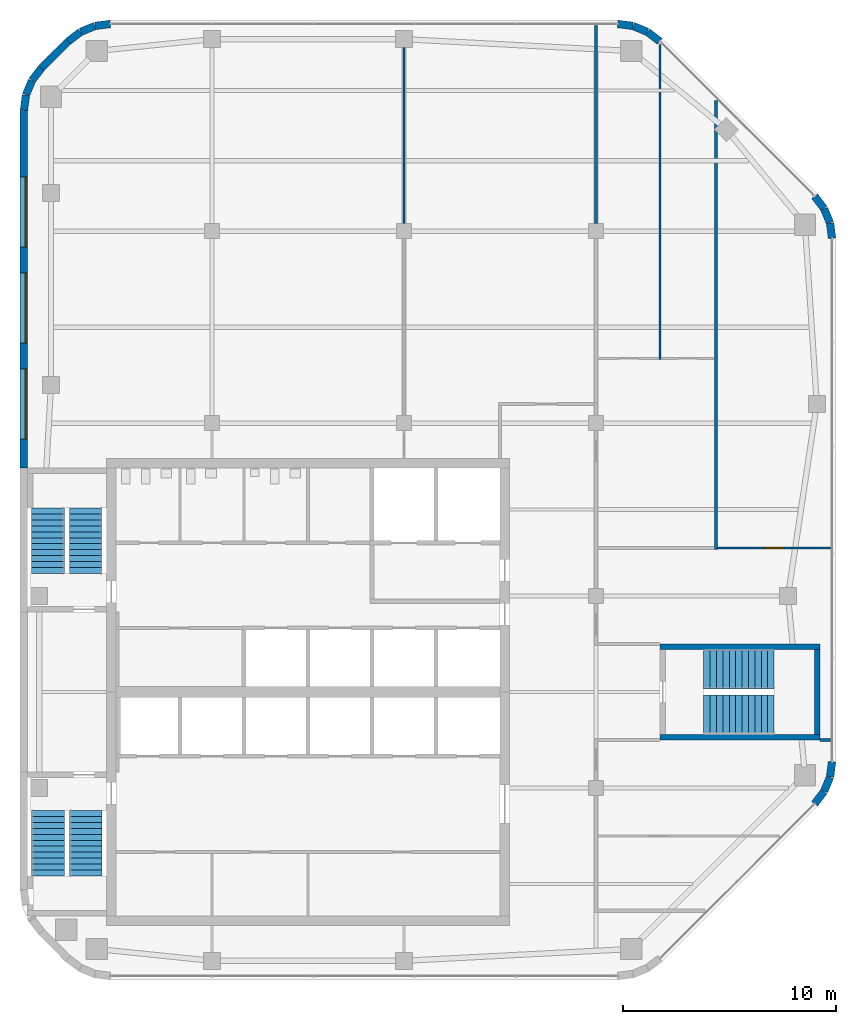
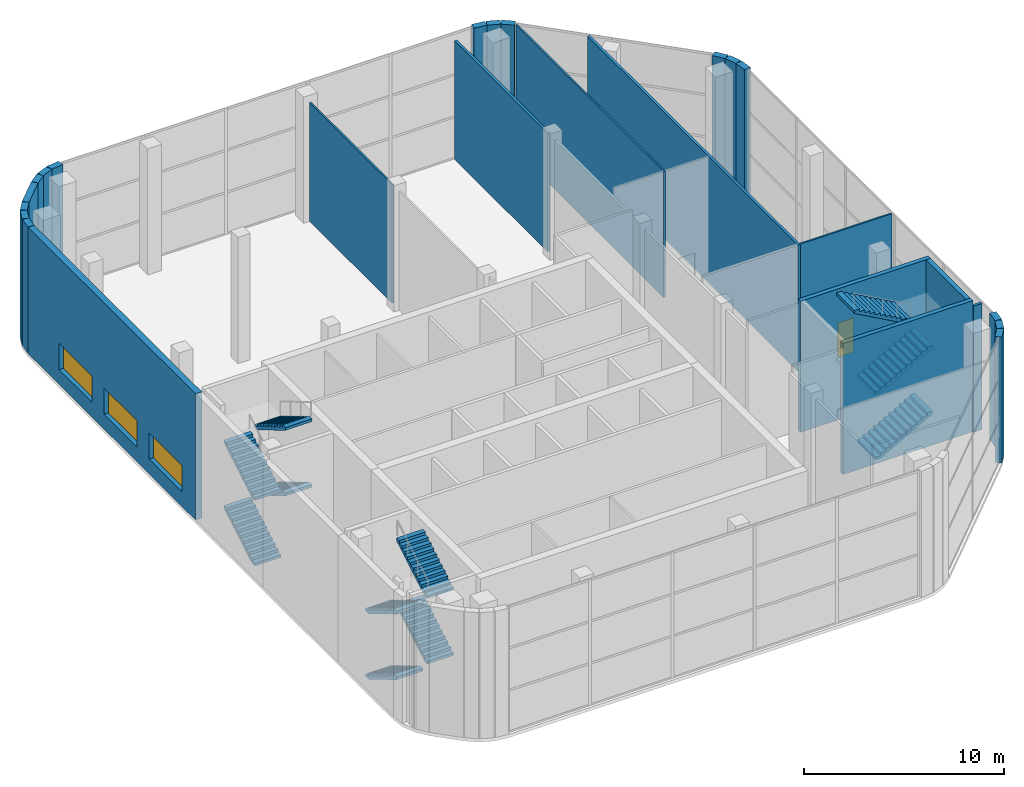
# One storey, part 10 of 12: 26 walls, 12 stair flights, 3 windows, 1 door, 4 openings, 3 elements without a shape of their own.
"""IFC4 building model written with IfcOpenShell, lengths in metres."""

from ifc_helpers import new_model, si_unit, direction, frame, frame_2d, origin, place, context, subcontext, project, spatial, polyline, rectangle, outline, extrude, material, layer, layer_set, type_object, element, fill, aggregate, save


model = new_model("IFC4")

# Units and contexts
model_context = context("Model", 3, precision=1e-05, world=origin(), true_north=direction((0.0, 1.0)))
body_context = subcontext(model_context, "Body", "Model", "MODEL_VIEW")
ifc_project = project(units=[si_unit("LENGTHUNIT", "METRE"), si_unit("AREAUNIT", "SQUARE_METRE"), si_unit("VOLUMEUNIT", "CUBIC_METRE"), si_unit("PLANEANGLEUNIT", "RADIAN"), si_unit("MASSUNIT", "GRAM", prefix="KILO")], contexts=[model_context])

# Site, building, storey
site_placement = place(None, origin())
site = spatial("IfcSite", under=ifc_project, at=site_placement, CompositionType="ELEMENT")
building_placement = place(site_placement, origin())
building = spatial("IfcBuilding", under=site, at=building_placement, Name="Cinnabar Reach Civic Tower", CompositionType="ELEMENT")
storey_placement = place(building_placement, frame((0.0, 0.0, 283.0)))
storey = spatial("IfcBuildingStorey", under=building, at=storey_placement, Name="L68", CompositionType="ELEMENT", Elevation=283.0)

# Walls
ifc_material_1 = material(Name="Facing brick with insulated backing", Category="masonry")
ifc_layer_1 = layer(ifc_material_1, 0.36)
ifc_layer_set_1 = layer_set([ifc_layer_1], Name="Brick corner wall")
wall_type_1 = type_object("IfcWallType", Name="Brick corner wall", PredefinedType="STANDARD", material=ifc_layer_set_1)
wall_1_placement = place(storey_placement, frame((37.2498, 26.2587, 0.0), z_axis=(0.0, 0.0, 1.0), x_axis=(0.608802368033, 0.793321924995, 0.0)))
element("IfcWall", 1, at=wall_1_placement, inside=storey, type_object=wall_type_1, Name="Brick corner wall", PredefinedType="STANDARD", context=body_context, shape_type="SweptSolid", body=[
    extrude(rectangle(XDim=0.7132, YDim=0.36, at=frame_2d((0.3566, 0.0))), origin(), (0.0, 0.0, 1.0), 7.7),
])
for number, where, z_axis, x_axis, name in (
    (2, (37.6952, 26.8439, 0.0), (0.0, 0.0, 1.0), (0.382702709855, 0.923871547278, 0.0), "Brick corner wall"),
    (3, (37.9739, 27.5244, 0.0), (0.0, 0.0, 1.0), (0.13055608231, 0.99144092581, 0.0), "Brick corner wall"),
    (4, (38.067, 52.7686, 0.0), (0.0, 0.0, 1.0), (-0.13055608231, 0.99144092581, 0.0), "Brick corner wall"),
    (5, (37.9681, 53.4973, 0.0), (0.0, 0.0, 1.0), (-0.382702709855, 0.923871547278, 0.0), "Brick corner wall"),
):
    element("IfcWall", number, at=place(storey_placement, frame(where, z_axis=z_axis, x_axis=x_axis)), inside=storey, type_object=wall_type_1, Name=name, PredefinedType="STANDARD", context=body_context, shape_type="SweptSolid", body=[
        extrude(rectangle(XDim=0.7131, YDim=0.36, at=frame_2d((0.3565, 0.0))), origin(), (0.0, 0.0, 1.0), 7.7),
    ])
for number, where, z_axis, x_axis, name in (
    (6, (37.684, 54.1755, 0.0), (0.0, 0.0, 1.0), (-0.608802368033, 0.793321924995, 0.0), "Brick corner wall"),
    (7, (29.9913, 61.9998, 0.0), (0.0, 0.0, 1.0), (-0.793321924995, 0.608802368033, 0.0), "Brick corner wall"),
):
    element("IfcWall", number, at=place(storey_placement, frame(where, z_axis=z_axis, x_axis=x_axis)), inside=storey, type_object=wall_type_1, Name=name, PredefinedType="STANDARD", context=body_context, shape_type="SweptSolid", body=[
        extrude(rectangle(XDim=0.7132, YDim=0.36, at=frame_2d((0.3566, 0.0))), origin(), (0.0, 0.0, 1.0), 7.7),
    ])
for number, where, z_axis, x_axis, name in (
    (8, (29.4061, 62.4452, 0.0), (0.0, 0.0, 1.0), (-0.923871547278, 0.382702709855, 0.0), "Brick corner wall"),
    (9, (28.7256, 62.7239, 0.0), (0.0, 0.0, 1.0), (-0.99144092581, 0.13055608231, 0.0), "Brick corner wall"),
    (10, (4.2314, 62.817, 0.0), (0.0, 0.0, 1.0), (-0.99144092581, -0.13055608231, 0.0), "Brick corner wall"),
    (11, (3.5027, 62.7181, 0.0), (0.0, 0.0, 1.0), (-0.923871547278, -0.382702709855, 0.0), "Brick corner wall"),
):
    element("IfcWall", number, at=place(storey_placement, frame(where, z_axis=z_axis, x_axis=x_axis)), inside=storey, type_object=wall_type_1, Name=name, PredefinedType="STANDARD", context=body_context, shape_type="SweptSolid", body=[
        extrude(rectangle(XDim=0.7131, YDim=0.36, at=frame_2d((0.3565, 0.0))), origin(), (0.0, 0.0, 1.0), 7.7),
    ])
for number, where, z_axis, x_axis, name in (
    (12, (2.8245, 62.434, 0.0), (0.0, 0.0, 1.0), (-0.793321924995, -0.608802368033, 0.0), "Brick corner wall"),
    (13, (1.0002, 60.7413, 0.0), (0.0, 0.0, 1.0), (-0.608802368033, -0.793321924995, 0.0), "Brick corner wall"),
):
    element("IfcWall", number, at=place(storey_placement, frame(where, z_axis=z_axis, x_axis=x_axis)), inside=storey, type_object=wall_type_1, Name=name, PredefinedType="STANDARD", context=body_context, shape_type="SweptSolid", body=[
        extrude(rectangle(XDim=0.7132, YDim=0.36, at=frame_2d((0.3566, 0.0))), origin(), (0.0, 0.0, 1.0), 7.7),
    ])
for number, where, z_axis, x_axis, name in (
    (14, (0.5548, 60.1561, 0.0), (0.0, 0.0, 1.0), (-0.382702709855, -0.923871547278, 0.0), "Brick corner wall"),
    (15, (0.2761, 59.4756, 0.0), (0.0, 0.0, 1.0), (-0.13055608231, -0.99144092581, 0.0), "Brick corner wall"),
):
    element("IfcWall", number, at=place(storey_placement, frame(where, z_axis=z_axis, x_axis=x_axis)), inside=storey, type_object=wall_type_1, Name=name, PredefinedType="STANDARD", context=body_context, shape_type="SweptSolid", body=[
        extrude(rectangle(XDim=0.7131, YDim=0.36, at=frame_2d((0.3565, 0.0))), origin(), (0.0, 0.0, 1.0), 7.7),
    ])
ifc_layer_2 = layer(ifc_material_1, 0.36)
ifc_layer_set_2 = layer_set([ifc_layer_2], Name="Brick pier and spandrel wall")
wall_type_2 = type_object("IfcWallType", Name="Brick pier and spandrel wall", PredefinedType="STANDARD", material=ifc_layer_set_2)
wall_2_placement = place(storey_placement, frame((2.2486, 61.994, 0.0), z_axis=(0.0, 0.0, 1.0), x_axis=(-0.707106781187, -0.707106781187, 0.0)))
element("IfcWall", 16, at=wall_2_placement, inside=storey, type_object=wall_type_2, Name="Brick facade wall", PredefinedType="STANDARD", context=body_context, shape_type="SweptSolid", body=[
    extrude(rectangle(XDim=1.7573, YDim=0.36, at=frame_2d((0.8787, 0.0))), origin(), (0.0, 0.0, 1.0), 7.7),
])

# Wall, openings, windows
wall_3_placement = place(storey_placement, frame((0.18, 58.7574, 0.0), z_axis=(0.0, 0.0, 1.0), x_axis=(0.0, -1.0, 0.0)))
wall_3 = element("IfcWall", 17, at=wall_3_placement, inside=storey, type_object=wall_type_2, Name="Brick facade wall", PredefinedType="STANDARD", context=body_context, shape_type="SweptSolid", body=[
    extrude(rectangle(XDim=16.7574, YDim=0.36, at=frame_2d((8.3787, 0.0))), origin(), (0.0, 0.0, 1.0), 7.7),
])
opening_1_placement = place(wall_3_placement, frame((3.1074, 0.0, 0.9)))
opening_1 = element("IfcOpeningElement", 18, at=opening_1_placement, cuts=wall_3, Name="Opening W2330", PredefinedType="OPENING", context=body_context, shape_type="SweptSolid", body=[
    extrude(rectangle(XDim=3.3, YDim=1.6, at=frame_2d((1.65, 0.8))), frame((0.0, 0.19, 0.0), z_axis=(0.0, -1.0, 0.0), x_axis=(1.0, 0.0, 0.0)), (0.0, 0.0, 1.0), 0.38),
])
opening_2_placement = place(wall_3_placement, frame((7.6074, 0.0, 0.9)))
opening_2 = element("IfcOpeningElement", 19, at=opening_2_placement, cuts=wall_3, Name="Opening W2331", PredefinedType="OPENING", context=body_context, shape_type="SweptSolid", body=[
    extrude(rectangle(XDim=3.3, YDim=1.6, at=frame_2d((1.65, 0.8))), frame((0.0, 0.19, 0.0), z_axis=(0.0, -1.0, 0.0), x_axis=(1.0, 0.0, 0.0)), (0.0, 0.0, 1.0), 0.38),
])
opening_3_placement = place(wall_3_placement, frame((12.1074, 0.0, 0.9)))
opening_3 = element("IfcOpeningElement", 20, at=opening_3_placement, cuts=wall_3, Name="Opening W2332", PredefinedType="OPENING", context=body_context, shape_type="SweptSolid", body=[
    extrude(rectangle(XDim=3.3, YDim=1.6, at=frame_2d((1.65, 0.8))), frame((0.0, 0.19, 0.0), z_axis=(0.0, -1.0, 0.0), x_axis=(1.0, 0.0, 0.0)), (0.0, 0.0, 1.0), 0.38),
])
ifc_material_2 = material(Name="Clear double glazing in aluminium frame", Category="aluminium")
window_type = type_object("IfcWindowType", Name="Deep-set window A", PartitioningType="SINGLE_PANEL", PredefinedType="WINDOW", material=ifc_material_2)
window_1_placement = place(opening_1_placement, origin())
window_1 = element("IfcWindow", 21, at=window_1_placement, inside=storey, type_object=window_type, Name="Window west face", OverallHeight=1.6, OverallWidth=3.3, PartitioningType="SINGLE_PANEL", PredefinedType="WINDOW", context=body_context, shape_type="SweptSolid", body=[
    extrude(rectangle(XDim=3.3, YDim=1.6, at=frame_2d((1.65, 0.8))), frame((0.0, 0.13, 0.0), z_axis=(0.0, -1.0, 0.0), x_axis=(1.0, 0.0, 0.0)), (0.0, 0.0, 1.0), 0.06),
])
fill(opening_1, window_1)
window_2_placement = place(opening_2_placement, origin())
window_2 = element("IfcWindow", 22, at=window_2_placement, inside=storey, type_object=window_type, Name="Window west face", OverallHeight=1.6, OverallWidth=3.3, PartitioningType="SINGLE_PANEL", PredefinedType="WINDOW", context=body_context, shape_type="SweptSolid", body=[
    extrude(rectangle(XDim=3.3, YDim=1.6, at=frame_2d((1.65, 0.8))), frame((0.0, 0.13, 0.0), z_axis=(0.0, -1.0, 0.0), x_axis=(1.0, 0.0, 0.0)), (0.0, 0.0, 1.0), 0.06),
])
fill(opening_2, window_2)
window_3_placement = place(opening_3_placement, origin())
window_3 = element("IfcWindow", 23, at=window_3_placement, inside=storey, type_object=window_type, Name="Window west face", OverallHeight=1.6, OverallWidth=3.3, PartitioningType="SINGLE_PANEL", PredefinedType="WINDOW", context=body_context, shape_type="SweptSolid", body=[
    extrude(rectangle(XDim=3.3, YDim=1.6, at=frame_2d((1.65, 0.8))), frame((0.0, 0.13, 0.0), z_axis=(0.0, -1.0, 0.0), x_axis=(1.0, 0.0, 0.0)), (0.0, 0.0, 1.0), 0.06),
])
fill(opening_3, window_3)

# Walls
ifc_material_3 = material(Name="Gypsum board on steel studs", Category="steel")
ifc_layer_3 = layer(ifc_material_3, 0.1)
ifc_layer_set_3 = layer_set([ifc_layer_3], Name="Partition wall 100 T1")
wall_type_3 = type_object("IfcWallType", Name="Partition wall 100 T1", PredefinedType="PARTITIONING", material=ifc_layer_set_3)
wall_4_placement = place(storey_placement, frame((18.0, 53.45, 0.0), z_axis=(0.0, 0.0, 1.0), x_axis=(0.0, 1.0, 0.0)))
element("IfcWall", 24, at=wall_4_placement, inside=storey, type_object=wall_type_3, Name="Partition wall 42", PredefinedType="PARTITIONING", context=body_context, shape_type="SweptSolid", body=[
    extrude(rectangle(XDim=8.25, YDim=0.1, at=frame_2d((4.125, 0.0))), origin(), (0.0, 0.0, 1.0), 7.25),
])
wall_5_placement = place(storey_placement, frame((30.0, 47.0889, 0.0), z_axis=(0.0, 0.0, 1.0), x_axis=(0.0, 1.0, 0.0)))
element("IfcWall", 25, at=wall_5_placement, inside=storey, type_object=wall_type_3, Name="Partition wall 43", PredefinedType="PARTITIONING", context=body_context, shape_type="SweptSolid", body=[
    extrude(rectangle(XDim=14.762, YDim=0.1, at=frame_2d((7.381, 0.0))), origin(), (0.0, 0.0, 1.0), 7.7),
])

# Wall, opening, door
wall_6_placement = place(storey_placement, frame((32.7, 38.25, 0.0), z_axis=(0.0, 0.0, 1.0), x_axis=(1.0, 0.0, 0.0)))
wall_6 = element("IfcWall", 26, at=wall_6_placement, inside=storey, type_object=wall_type_3, Name="Partition wall 47", PredefinedType="PARTITIONING", context=body_context, shape_type="SweptSolid", body=[
    extrude(rectangle(XDim=5.29, YDim=0.1, at=frame_2d((2.645, 0.0))), origin(), (0.0, 0.0, 1.0), 7.7),
])
opening_4_placement = place(wall_6_placement, frame((2.2, 0.0, 0.0)))
opening_4 = element("IfcOpeningElement", 27, at=opening_4_placement, cuts=wall_6, Name="Opening D5726", PredefinedType="OPENING", context=body_context, shape_type="SweptSolid", body=[
    extrude(rectangle(XDim=0.9, YDim=2.1, at=frame_2d((0.45, 1.05))), frame((0.0, 0.06, 0.0), z_axis=(0.0, -1.0, 0.0), x_axis=(1.0, 0.0, 0.0)), (0.0, 0.0, 1.0), 0.12),
])
ifc_material_4 = material(Name="Timber door leaf in steel frame", Category="steel")
door_type = type_object("IfcDoorType", Name="Single swing door 900 x 2100 T1", OperationType="SINGLE_SWING_LEFT", PredefinedType="DOOR", material=ifc_material_4)
door_placement = place(opening_4_placement, frame((0.9, 0.0, 0.0), z_axis=(0.0, 0.0, 1.0), x_axis=(-1.0, 0.0, 0.0)))
door = element("IfcDoor", 28, at=door_placement, inside=storey, type_object=door_type, Name="Door D5726", OperationType="SINGLE_SWING_RIGHT", OverallHeight=2.1, OverallWidth=0.9, PredefinedType="DOOR", context=body_context, shape_type="SweptSolid", body=[
    extrude(rectangle(XDim=0.9, YDim=2.1, at=frame_2d((0.45, 1.05))), frame((0.0, 0.025, 0.0), z_axis=(0.0, -1.0, 0.0), x_axis=(1.0, 0.0, 0.0)), (0.0, 0.0, 1.0), 0.05),
])
fill(opening_4, door)

# Walls
ifc_material_5 = material(Name="Concrete C60", Category="concrete")
ifc_layer_4 = layer(ifc_material_5, 0.25)
ifc_layer_set_4 = layer_set([ifc_layer_4], Name="Stair shaft wall 250 EI 120")
wall_type_4 = type_object("IfcWallType", Name="Stair shaft wall 250 EI 120", PredefinedType="SOLIDWALL", material=ifc_layer_set_4)
for number, where, z_axis, x_axis, name in (
    (29, (30.0, 29.375, 0.0), (0.0, 0.0, 1.0), (1.0, 0.0, 0.0), "Stair shaft wall T1-S3 L68"),
    (30, (37.5, 33.625, 0.0), (0.0, 0.0, 1.0), (-1.0, 0.0, 0.0), "Stair shaft wall T1-S3 L68"),
):
    element("IfcWall", number, at=place(storey_placement, frame(where, z_axis=z_axis, x_axis=x_axis)), inside=storey, type_object=wall_type_4, Name=name, PredefinedType="SOLIDWALL", context=body_context, shape_type="SweptSolid", body=[
        extrude(rectangle(XDim=7.5, YDim=0.25, at=frame_2d((3.75, 0.0))), origin(), (0.0, 0.0, 1.0), 8.0),
    ])
wall_7_placement = place(storey_placement, frame((37.375, 29.5, 0.0), z_axis=(0.0, 0.0, 1.0), x_axis=(0.0, 1.0, 0.0)))
element("IfcWall", 31, at=wall_7_placement, inside=storey, type_object=wall_type_4, Name="Stair shaft wall T1-S3 L68", PredefinedType="SOLIDWALL", context=body_context, shape_type="SweptSolid", body=[
    extrude(rectangle(XDim=4.0, YDim=0.25, at=frame_2d((2.0, 0.0))), origin(), (0.0, 0.0, 1.0), 8.0),
])
ifc_material_6 = material(Name="Gypsum board on steel studs, double layer", Category="steel")
ifc_layer_5 = layer(ifc_material_6, 0.15)
ifc_layer_set_5 = layer_set([ifc_layer_5], Name="Tenancy separating wall 150 T1")
wall_type_5 = type_object("IfcWallType", Name="Tenancy separating wall 150 T1", PredefinedType="PARTITIONING", material=ifc_layer_set_5)
wall_8_placement = place(storey_placement, frame((32.625, 38.175, 0.0), z_axis=(0.0, 0.0, 1.0), x_axis=(0.0, 1.0, 0.0)))
element("IfcWall", 32, at=wall_8_placement, inside=storey, type_object=wall_type_5, Name="Tenancy separating wall 35", PredefinedType="PARTITIONING", context=body_context, shape_type="SweptSolid", body=[
    extrude(rectangle(XDim=21.0509, YDim=0.15, at=frame_2d((10.5254, 0.0))), origin(), (0.0, 0.0, 1.0), 7.7),
])
wall_9_placement = place(storey_placement, frame((27.0, 53.45, 0.0), z_axis=(0.0, 0.0, 1.0), x_axis=(0.0, 1.0, 0.0)))
element("IfcWall", 33, at=wall_9_placement, inside=storey, type_object=wall_type_5, Name="Tenancy separating wall 36", PredefinedType="PARTITIONING", context=body_context, shape_type="SweptSolid", body=[
    extrude(rectangle(XDim=9.29, YDim=0.15, at=frame_2d((4.645, 0.0))), origin(), (0.0, 0.0, 1.0), 7.25),
])
wall_10_placement = place(storey_placement, frame((37.5, 29.25, 0.0), z_axis=(0.0, 0.0, 1.0), x_axis=(1.0, 0.0, 0.0)))
element("IfcWall", 34, at=wall_10_placement, inside=storey, type_object=wall_type_5, Name="Tenancy separating wall 39", PredefinedType="PARTITIONING", context=body_context, shape_type="SweptSolid", body=[
    extrude(rectangle(XDim=0.49, YDim=0.15, at=frame_2d((0.245, 0.0))), origin(), (0.0, 0.0, 1.0), 7.7),
])

# Stair, stair flights
ifc_material_7 = material(Name="Concrete C40/50", Category="concrete")
stair_type = type_object("IfcStairType", Name="T1 Exit stair, double return", PredefinedType="DOUBLE_RETURN_STAIR", material=ifc_material_7)
stair_1_placement = place(storey_placement, origin())
stair_1 = element("IfcStair", 35, at=stair_1_placement, inside=storey, type_object=stair_type, Name="Stair T1-S1", PredefinedType="DOUBLE_RETURN_STAIR")
stair_flight_type = type_object("IfcStairFlightType", Name="T1 Stair flight, concrete", PredefinedType="STRAIGHT", material=ifc_material_7)
stair_flight_1_placement = place(storey_placement, frame((1.3125, 25.95, 0.0), z_axis=(0.0, 0.0, 1.0), x_axis=(0.0, -1.0, 0.0)))
stair_flight_1 = element("IfcStairFlight", 36, at=stair_flight_1_placement, type_object=stair_flight_type, Name="T1-S1 flight 1", NumberOfRisers=12, NumberOfTreads=11, PredefinedType="STRAIGHT", RiserHeight=0.166666667, TreadLength=0.28, context=body_context, shape_type="SweptSolid", body=[
    extrude(outline(polyline([(0.0, 0.0), (0.0, 0.1667), (0.28, 0.1667), (0.28, 0.3333), (0.56, 0.3333), (0.56, 0.5), (0.84, 0.5), (0.84, 0.6667), (1.12, 0.6667), (1.12, 0.8333), (1.4, 0.8333), (1.4, 1.0), (1.68, 1.0), (1.68, 1.1667), (1.96, 1.1667), (1.96, 1.3333), (2.24, 1.3333), (2.24, 1.5), (2.52, 1.5), (2.52, 1.6667), (2.8, 1.6667), (2.8, 1.8333), (3.08, 1.8333), (3.08, 2.0), (3.08, 1.6588), (0.2933, 0.0), (0.0, 0.0)])), frame((0.0, 0.7625, 0.0), z_axis=(0.0, -1.0, 0.0), x_axis=(1.0, 0.0, 0.0)), (0.0, 0.0, 1.0), 1.525),
])
stair_flight_2_placement = place(storey_placement, frame((3.0875, 22.87, 2.0), z_axis=(0.0, 0.0, 1.0), x_axis=(0.0, 1.0, 0.0)))
stair_flight_2 = element("IfcStairFlight", 37, at=stair_flight_2_placement, type_object=stair_flight_type, Name="T1-S1 flight 2", NumberOfRisers=12, NumberOfTreads=11, PredefinedType="STRAIGHT", RiserHeight=0.166666667, TreadLength=0.28, context=body_context, shape_type="SweptSolid", body=[
    extrude(outline(polyline([(0.0, 0.0), (0.0, 0.1667), (0.28, 0.1667), (0.28, 0.3333), (0.56, 0.3333), (0.56, 0.5), (0.84, 0.5), (0.84, 0.6667), (1.12, 0.6667), (1.12, 0.8333), (1.4, 0.8333), (1.4, 1.0), (1.68, 1.0), (1.68, 1.1667), (1.96, 1.1667), (1.96, 1.3333), (2.24, 1.3333), (2.24, 1.5), (2.52, 1.5), (2.52, 1.6667), (2.8, 1.6667), (2.8, 1.8333), (3.08, 1.8333), (3.08, 2.0), (3.08, 1.6588), (0.2933, 0.0), (0.0, 0.0)])), frame((0.0, 0.7625, 0.0), z_axis=(0.0, -1.0, 0.0), x_axis=(1.0, 0.0, 0.0)), (0.0, 0.0, 1.0), 1.525),
])
stair_flight_3_placement = place(storey_placement, frame((1.3125, 25.95, 4.0), z_axis=(0.0, 0.0, 1.0), x_axis=(0.0, -1.0, 0.0)))
stair_flight_3 = element("IfcStairFlight", 38, at=stair_flight_3_placement, type_object=stair_flight_type, Name="T1-S1 flight 3", NumberOfRisers=12, NumberOfTreads=11, PredefinedType="STRAIGHT", RiserHeight=0.166666667, TreadLength=0.28, context=body_context, shape_type="SweptSolid", body=[
    extrude(outline(polyline([(0.0, 0.0), (0.0, 0.1667), (0.28, 0.1667), (0.28, 0.3333), (0.56, 0.3333), (0.56, 0.5), (0.84, 0.5), (0.84, 0.6667), (1.12, 0.6667), (1.12, 0.8333), (1.4, 0.8333), (1.4, 1.0), (1.68, 1.0), (1.68, 1.1667), (1.96, 1.1667), (1.96, 1.3333), (2.24, 1.3333), (2.24, 1.5), (2.52, 1.5), (2.52, 1.6667), (2.8, 1.6667), (2.8, 1.8333), (3.08, 1.8333), (3.08, 2.0), (3.08, 1.6588), (0.2933, 0.0), (0.0, 0.0)])), frame((0.0, 0.7625, 0.0), z_axis=(0.0, -1.0, 0.0), x_axis=(1.0, 0.0, 0.0)), (0.0, 0.0, 1.0), 1.525),
])
stair_flight_4_placement = place(storey_placement, frame((3.0875, 22.87, 6.0), z_axis=(0.0, 0.0, 1.0), x_axis=(0.0, 1.0, 0.0)))
stair_flight_4 = element("IfcStairFlight", 39, at=stair_flight_4_placement, type_object=stair_flight_type, Name="T1-S1 flight 4", NumberOfRisers=12, NumberOfTreads=11, PredefinedType="STRAIGHT", RiserHeight=0.166666667, TreadLength=0.28, context=body_context, shape_type="SweptSolid", body=[
    extrude(outline(polyline([(0.0, 0.0), (0.0, 0.1667), (0.28, 0.1667), (0.28, 0.3333), (0.56, 0.3333), (0.56, 0.5), (0.84, 0.5), (0.84, 0.6667), (1.12, 0.6667), (1.12, 0.8333), (1.4, 0.8333), (1.4, 1.0), (1.68, 1.0), (1.68, 1.1667), (1.96, 1.1667), (1.96, 1.3333), (2.24, 1.3333), (2.24, 1.5), (2.52, 1.5), (2.52, 1.6667), (2.8, 1.6667), (2.8, 1.8333), (3.08, 1.8333), (3.08, 2.0), (3.08, 1.6588), (0.2933, 0.0), (0.0, 0.0)])), frame((0.0, 0.7625, 0.0), z_axis=(0.0, -1.0, 0.0), x_axis=(1.0, 0.0, 0.0)), (0.0, 0.0, 1.0), 1.525),
])
aggregate(stair_1, [stair_flight_1, stair_flight_2, stair_flight_3, stair_flight_4])

stair_2_placement = place(storey_placement, origin())
stair_2 = element("IfcStair", 40, at=stair_2_placement, inside=storey, type_object=stair_type, Name="Stair T1-S2", PredefinedType="DOUBLE_RETURN_STAIR")
stair_flight_5_placement = place(storey_placement, frame((1.3125, 37.05, 0.0), z_axis=(0.0, 0.0, 1.0), x_axis=(0.0, 1.0, 0.0)))
stair_flight_5 = element("IfcStairFlight", 41, at=stair_flight_5_placement, type_object=stair_flight_type, Name="T1-S2 flight 1", NumberOfRisers=12, NumberOfTreads=11, PredefinedType="STRAIGHT", RiserHeight=0.166666667, TreadLength=0.28, context=body_context, shape_type="SweptSolid", body=[
    extrude(outline(polyline([(0.0, 0.0), (0.0, 0.1667), (0.28, 0.1667), (0.28, 0.3333), (0.56, 0.3333), (0.56, 0.5), (0.84, 0.5), (0.84, 0.6667), (1.12, 0.6667), (1.12, 0.8333), (1.4, 0.8333), (1.4, 1.0), (1.68, 1.0), (1.68, 1.1667), (1.96, 1.1667), (1.96, 1.3333), (2.24, 1.3333), (2.24, 1.5), (2.52, 1.5), (2.52, 1.6667), (2.8, 1.6667), (2.8, 1.8333), (3.08, 1.8333), (3.08, 2.0), (3.08, 1.6588), (0.2933, 0.0), (0.0, 0.0)])), frame((0.0, 0.7625, 0.0), z_axis=(0.0, -1.0, 0.0), x_axis=(1.0, 0.0, 0.0)), (0.0, 0.0, 1.0), 1.525),
])
stair_flight_6_placement = place(storey_placement, frame((3.0875, 40.13, 2.0), z_axis=(0.0, 0.0, 1.0), x_axis=(0.0, -1.0, 0.0)))
stair_flight_6 = element("IfcStairFlight", 42, at=stair_flight_6_placement, type_object=stair_flight_type, Name="T1-S2 flight 2", NumberOfRisers=12, NumberOfTreads=11, PredefinedType="STRAIGHT", RiserHeight=0.166666667, TreadLength=0.28, context=body_context, shape_type="SweptSolid", body=[
    extrude(outline(polyline([(0.0, 0.0), (0.0, 0.1667), (0.28, 0.1667), (0.28, 0.3333), (0.56, 0.3333), (0.56, 0.5), (0.84, 0.5), (0.84, 0.6667), (1.12, 0.6667), (1.12, 0.8333), (1.4, 0.8333), (1.4, 1.0), (1.68, 1.0), (1.68, 1.1667), (1.96, 1.1667), (1.96, 1.3333), (2.24, 1.3333), (2.24, 1.5), (2.52, 1.5), (2.52, 1.6667), (2.8, 1.6667), (2.8, 1.8333), (3.08, 1.8333), (3.08, 2.0), (3.08, 1.6588), (0.2933, 0.0), (0.0, 0.0)])), frame((0.0, 0.7625, 0.0), z_axis=(0.0, -1.0, 0.0), x_axis=(1.0, 0.0, 0.0)), (0.0, 0.0, 1.0), 1.525),
])
stair_flight_7_placement = place(storey_placement, frame((1.3125, 37.05, 4.0), z_axis=(0.0, 0.0, 1.0), x_axis=(0.0, 1.0, 0.0)))
stair_flight_7 = element("IfcStairFlight", 43, at=stair_flight_7_placement, type_object=stair_flight_type, Name="T1-S2 flight 3", NumberOfRisers=12, NumberOfTreads=11, PredefinedType="STRAIGHT", RiserHeight=0.166666667, TreadLength=0.28, context=body_context, shape_type="SweptSolid", body=[
    extrude(outline(polyline([(0.0, 0.0), (0.0, 0.1667), (0.28, 0.1667), (0.28, 0.3333), (0.56, 0.3333), (0.56, 0.5), (0.84, 0.5), (0.84, 0.6667), (1.12, 0.6667), (1.12, 0.8333), (1.4, 0.8333), (1.4, 1.0), (1.68, 1.0), (1.68, 1.1667), (1.96, 1.1667), (1.96, 1.3333), (2.24, 1.3333), (2.24, 1.5), (2.52, 1.5), (2.52, 1.6667), (2.8, 1.6667), (2.8, 1.8333), (3.08, 1.8333), (3.08, 2.0), (3.08, 1.6588), (0.2933, 0.0), (0.0, 0.0)])), frame((0.0, 0.7625, 0.0), z_axis=(0.0, -1.0, 0.0), x_axis=(1.0, 0.0, 0.0)), (0.0, 0.0, 1.0), 1.525),
])
stair_flight_8_placement = place(storey_placement, frame((3.0875, 40.13, 6.0), z_axis=(0.0, 0.0, 1.0), x_axis=(0.0, -1.0, 0.0)))
stair_flight_8 = element("IfcStairFlight", 44, at=stair_flight_8_placement, type_object=stair_flight_type, Name="T1-S2 flight 4", NumberOfRisers=12, NumberOfTreads=11, PredefinedType="STRAIGHT", RiserHeight=0.166666667, TreadLength=0.28, context=body_context, shape_type="SweptSolid", body=[
    extrude(outline(polyline([(0.0, 0.0), (0.0, 0.1667), (0.28, 0.1667), (0.28, 0.3333), (0.56, 0.3333), (0.56, 0.5), (0.84, 0.5), (0.84, 0.6667), (1.12, 0.6667), (1.12, 0.8333), (1.4, 0.8333), (1.4, 1.0), (1.68, 1.0), (1.68, 1.1667), (1.96, 1.1667), (1.96, 1.3333), (2.24, 1.3333), (2.24, 1.5), (2.52, 1.5), (2.52, 1.6667), (2.8, 1.6667), (2.8, 1.8333), (3.08, 1.8333), (3.08, 2.0), (3.08, 1.6588), (0.2933, 0.0), (0.0, 0.0)])), frame((0.0, 0.7625, 0.0), z_axis=(0.0, -1.0, 0.0), x_axis=(1.0, 0.0, 0.0)), (0.0, 0.0, 1.0), 1.525),
])
aggregate(stair_2, [stair_flight_5, stair_flight_6, stair_flight_7, stair_flight_8])

stair_3_placement = place(storey_placement, origin())
stair_3 = element("IfcStair", 45, at=stair_3_placement, inside=storey, type_object=stair_type, Name="Stair T1-S3", PredefinedType="DOUBLE_RETURN_STAIR")
stair_flight_9_placement = place(storey_placement, frame((32.05, 30.45, 0.0), z_axis=(0.0, 0.0, 1.0), x_axis=(1.0, 0.0, 0.0)))
stair_flight_9 = element("IfcStairFlight", 46, at=stair_flight_9_placement, type_object=stair_flight_type, Name="T1-S3 flight 1", NumberOfRisers=12, NumberOfTreads=11, PredefinedType="STRAIGHT", RiserHeight=0.166666667, TreadLength=0.3, context=body_context, shape_type="SweptSolid", body=[
    extrude(outline(polyline([(0.0, 0.0), (0.0, 0.1667), (0.3, 0.1667), (0.3, 0.3333), (0.6, 0.3333), (0.6, 0.5), (0.9, 0.5), (0.9, 0.6667), (1.2, 0.6667), (1.2, 0.8333), (1.5, 0.8333), (1.5, 1.0), (1.8, 1.0), (1.8, 1.1667), (2.1, 1.1667), (2.1, 1.3333), (2.4, 1.3333), (2.4, 1.5), (2.7, 1.5), (2.7, 1.6667), (3.0, 1.6667), (3.0, 1.8333), (3.3, 1.8333), (3.3, 2.0), (3.3, 1.6617), (0.3089, 0.0), (0.0, 0.0)])), frame((0.0, 0.9, 0.0), z_axis=(0.0, -1.0, 0.0), x_axis=(1.0, 0.0, 0.0)), (0.0, 0.0, 1.0), 1.8),
])
stair_flight_10_placement = place(storey_placement, frame((35.35, 32.55, 2.0), z_axis=(0.0, 0.0, 1.0), x_axis=(-1.0, 0.0, 0.0)))
stair_flight_10 = element("IfcStairFlight", 47, at=stair_flight_10_placement, type_object=stair_flight_type, Name="T1-S3 flight 2", NumberOfRisers=12, NumberOfTreads=11, PredefinedType="STRAIGHT", RiserHeight=0.166666667, TreadLength=0.3, context=body_context, shape_type="SweptSolid", body=[
    extrude(outline(polyline([(0.0, 0.0), (0.0, 0.1667), (0.3, 0.1667), (0.3, 0.3333), (0.6, 0.3333), (0.6, 0.5), (0.9, 0.5), (0.9, 0.6667), (1.2, 0.6667), (1.2, 0.8333), (1.5, 0.8333), (1.5, 1.0), (1.8, 1.0), (1.8, 1.1667), (2.1, 1.1667), (2.1, 1.3333), (2.4, 1.3333), (2.4, 1.5), (2.7, 1.5), (2.7, 1.6667), (3.0, 1.6667), (3.0, 1.8333), (3.3, 1.8333), (3.3, 2.0), (3.3, 1.6617), (0.3089, 0.0), (0.0, 0.0)])), frame((0.0, 0.9, 0.0), z_axis=(0.0, -1.0, 0.0), x_axis=(1.0, 0.0, 0.0)), (0.0, 0.0, 1.0), 1.8),
])
stair_flight_11_placement = place(storey_placement, frame((32.05, 30.45, 4.0), z_axis=(0.0, 0.0, 1.0), x_axis=(1.0, 0.0, 0.0)))
stair_flight_11 = element("IfcStairFlight", 48, at=stair_flight_11_placement, type_object=stair_flight_type, Name="T1-S3 flight 3", NumberOfRisers=12, NumberOfTreads=11, PredefinedType="STRAIGHT", RiserHeight=0.166666667, TreadLength=0.3, context=body_context, shape_type="SweptSolid", body=[
    extrude(outline(polyline([(0.0, 0.0), (0.0, 0.1667), (0.3, 0.1667), (0.3, 0.3333), (0.6, 0.3333), (0.6, 0.5), (0.9, 0.5), (0.9, 0.6667), (1.2, 0.6667), (1.2, 0.8333), (1.5, 0.8333), (1.5, 1.0), (1.8, 1.0), (1.8, 1.1667), (2.1, 1.1667), (2.1, 1.3333), (2.4, 1.3333), (2.4, 1.5), (2.7, 1.5), (2.7, 1.6667), (3.0, 1.6667), (3.0, 1.8333), (3.3, 1.8333), (3.3, 2.0), (3.3, 1.6617), (0.3089, 0.0), (0.0, 0.0)])), frame((0.0, 0.9, 0.0), z_axis=(0.0, -1.0, 0.0), x_axis=(1.0, 0.0, 0.0)), (0.0, 0.0, 1.0), 1.8),
])
stair_flight_12_placement = place(storey_placement, frame((35.35, 32.55, 6.0), z_axis=(0.0, 0.0, 1.0), x_axis=(-1.0, 0.0, 0.0)))
stair_flight_12 = element("IfcStairFlight", 49, at=stair_flight_12_placement, type_object=stair_flight_type, Name="T1-S3 flight 4", NumberOfRisers=12, NumberOfTreads=11, PredefinedType="STRAIGHT", RiserHeight=0.166666667, TreadLength=0.3, context=body_context, shape_type="SweptSolid", body=[
    extrude(outline(polyline([(0.0, 0.0), (0.0, 0.1667), (0.3, 0.1667), (0.3, 0.3333), (0.6, 0.3333), (0.6, 0.5), (0.9, 0.5), (0.9, 0.6667), (1.2, 0.6667), (1.2, 0.8333), (1.5, 0.8333), (1.5, 1.0), (1.8, 1.0), (1.8, 1.1667), (2.1, 1.1667), (2.1, 1.3333), (2.4, 1.3333), (2.4, 1.5), (2.7, 1.5), (2.7, 1.6667), (3.0, 1.6667), (3.0, 1.8333), (3.3, 1.8333), (3.3, 2.0), (3.3, 1.6617), (0.3089, 0.0), (0.0, 0.0)])), frame((0.0, 0.9, 0.0), z_axis=(0.0, -1.0, 0.0), x_axis=(1.0, 0.0, 0.0)), (0.0, 0.0, 1.0), 1.8),
])
aggregate(stair_3, [stair_flight_9, stair_flight_10, stair_flight_11, stair_flight_12])

save(model, "model.ifc")
